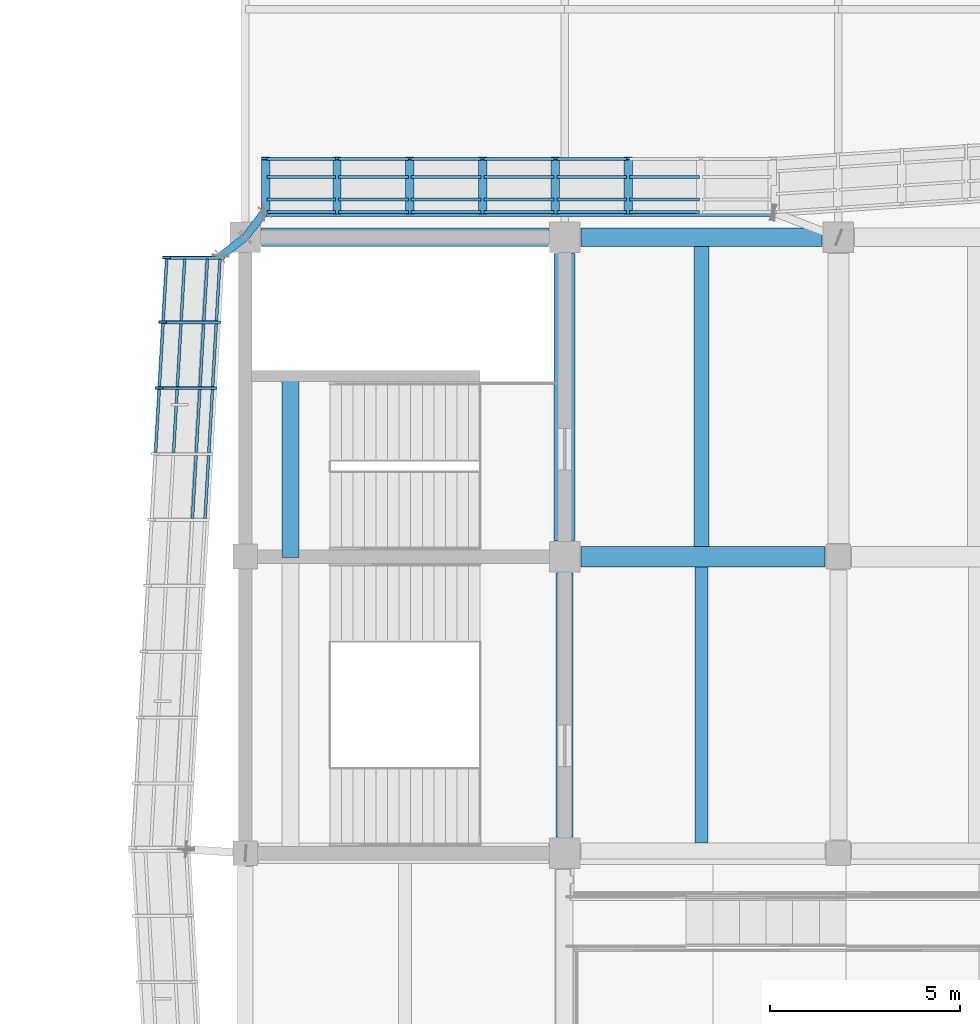
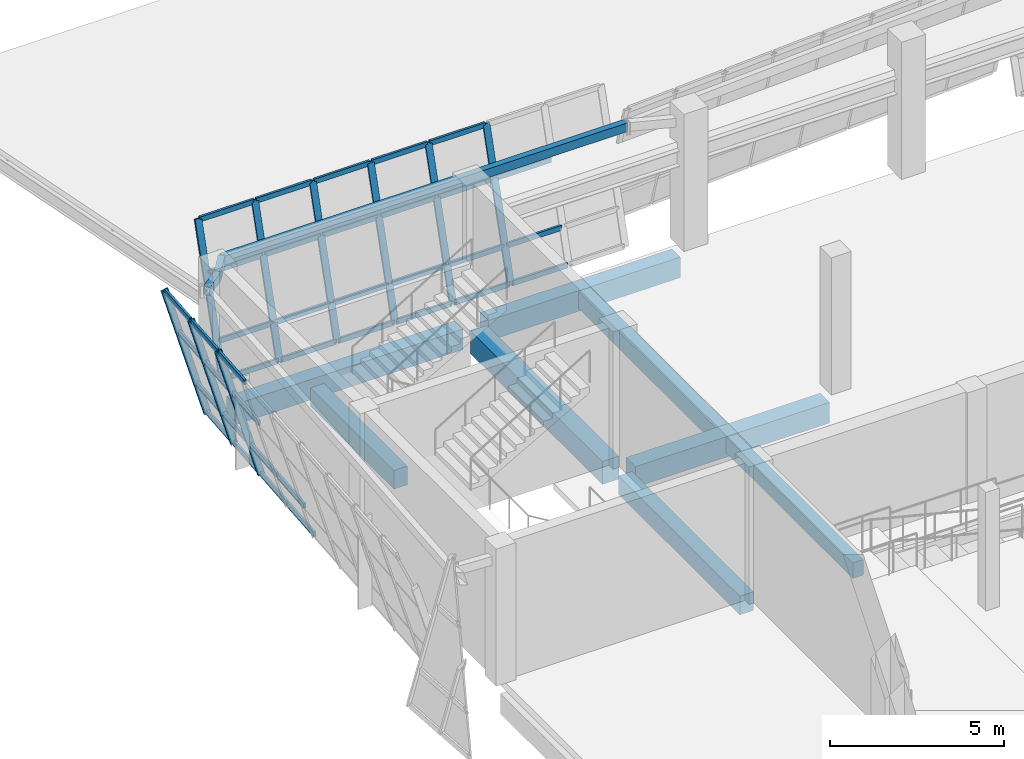
# One storey, part 25 of 79: 46 members, 11 beams, 2 elements without a shape of their own.
"""IFC4 building model written with IfcOpenShell, lengths in metres."""

from ifc_helpers import new_model, si_unit, direction, frame, origin, origin_2d, place, context, subcontext, project, spatial, rectangle, hollow_rectangle, extrude, material, material_profile, profile_set, type_object, element, aggregate, save


model = new_model("IFC4")

# Units and contexts
model_context = context("Model", 3, precision=1e-05, world=origin(), true_north=direction((0.0, 1.0)))
body_context = subcontext(model_context, "Body", "Model", "MODEL_VIEW")
ifc_project = project(units=[si_unit("LENGTHUNIT", "METRE"), si_unit("AREAUNIT", "SQUARE_METRE"), si_unit("VOLUMEUNIT", "CUBIC_METRE"), si_unit("PLANEANGLEUNIT", "RADIAN"), si_unit("MASSUNIT", "GRAM", prefix="KILO")], contexts=[model_context])

# Site, building, storey
site_placement = place(None, origin())
site = spatial("IfcSite", under=ifc_project, at=site_placement, CompositionType="ELEMENT")
building_placement = place(site_placement, origin())
building = spatial("IfcBuilding", under=site, at=building_placement, Name="Pellamere Symphony Hall", CompositionType="ELEMENT")
storey_placement = place(building_placement, frame((0.0, 0.0, 10.199951171875)))
storey = spatial("IfcBuildingStorey", under=building, at=storey_placement, Name="L02", CompositionType="ELEMENT", Elevation=10.199951171875)

# Curtain wall, members
ifc_material_1 = material(Name="Thermally Broken Anodised Aluminium 6063-T6 Curtain Wall", Category="aluminium")
curtain_wall_type = type_object("IfcCurtainWallType", Name="Curtain Wall CW-01 (Tilted Faceted Crystal Low-Iron Curtain Wall)", PredefinedType="NOTDEFINED", material=ifc_material_1)
curtain_wall_1_placement = place(storey_placement, origin())
curtain_wall_1 = element("IfcCurtainWall", 1, at=curtain_wall_1_placement, inside=storey, type_object=curtain_wall_type, Name="Crystal Faceted Curtain Wall CW-CR14 (L02)", PredefinedType="NOTDEFINED")
ifc_material_2 = material(Name="Anodised Architectural Aluminium 6063-T6", Category="aluminium")
ifc_material_profile_1 = material_profile(ifc_material_2, hollow_rectangle(XDim=0.074951171875, YDim=0.219970703125, WallThickness=0.0048828125, at=origin_2d()), Name="ALU-M75X220X5")
ifc_profile_set_1 = profile_set([ifc_material_profile_1], Name="Anodised Architectural Aluminium 6063-T6")
member_type_1 = type_object("IfcMemberType", Name="Curtain Wall Mullion ML-01 ALU-M75X220X5", PredefinedType="MULLION", material=ifc_profile_set_1)
member_1_placement = place(storey_placement, frame((60.471435546875, 94.25, 0.0), z_axis=(0.0, 0.284021911736, 0.9588177896), x_axis=(0.0, 0.9588177896, -0.284021911736)))
member_1 = element("IfcMember", 2, at=member_1_placement, type_object=member_type_1, Name="CW1-034 crystal mullion 3", PredefinedType="MULLION", context=body_context, shape_type="SweptSolid", body=[
    extrude(hollow_rectangle(XDim=0.074951171875, YDim=0.219970703125, WallThickness=0.0048828125, at=origin_2d()), origin(), (0.0, 0.0, 1.0), 5.006103515625),
])
member_2_placement = place(storey_placement, frame((58.55712890625, 94.25, 0.0), z_axis=(0.0, 0.284021911736, 0.9588177896), x_axis=(0.0, 0.9588177896, -0.284021911736)))
member_2 = element("IfcMember", 3, at=member_2_placement, type_object=member_type_1, Name="CW1-034 crystal mullion 4", PredefinedType="MULLION", context=body_context, shape_type="SweptSolid", body=[
    extrude(hollow_rectangle(XDim=0.074951171875, YDim=0.219970703125, WallThickness=0.0048828125, at=origin_2d()), origin(), (0.0, 0.0, 1.0), 5.006103515625),
])
member_3_placement = place(storey_placement, frame((56.642822265625, 94.25, 0.0), z_axis=(0.0, 0.284021911736, 0.9588177896), x_axis=(0.0, 0.9588177896, -0.284021911736)))
member_3 = element("IfcMember", 4, at=member_3_placement, type_object=member_type_1, Name="CW1-034 crystal mullion 5", PredefinedType="MULLION", context=body_context, shape_type="SweptSolid", body=[
    extrude(hollow_rectangle(XDim=0.074951171875, YDim=0.219970703125, WallThickness=0.0048828125, at=origin_2d()), origin(), (0.0, 0.0, 1.0), 5.006103515625),
])
member_4_placement = place(storey_placement, frame((54.728515625, 94.25, 0.0), z_axis=(0.0, 0.284021911736, 0.9588177896), x_axis=(0.0, 0.9588177896, -0.284021911736)))
member_4 = element("IfcMember", 5, at=member_4_placement, type_object=member_type_1, Name="CW1-034 crystal mullion 6", PredefinedType="MULLION", context=body_context, shape_type="SweptSolid", body=[
    extrude(hollow_rectangle(XDim=0.074951171875, YDim=0.219970703125, WallThickness=0.0048828125, at=origin_2d()), origin(), (0.0, 0.0, 1.0), 5.006103515625),
])
member_5_placement = place(storey_placement, frame((52.814208984375, 94.25, 0.0), z_axis=(0.0, 0.284021911736, 0.9588177896), x_axis=(0.0, 0.9588177896, -0.284021911736)))
member_5 = element("IfcMember", 6, at=member_5_placement, type_object=member_type_1, Name="CW1-034 crystal mullion 7", PredefinedType="MULLION", context=body_context, shape_type="SweptSolid", body=[
    extrude(hollow_rectangle(XDim=0.074951171875, YDim=0.219970703125, WallThickness=0.0048828125, at=origin_2d()), origin(), (0.0, 0.0, 1.0), 5.006103515625),
])
member_6_placement = place(storey_placement, frame((50.9375, 94.25, 0.0), z_axis=(0.0, 0.284021911736, 0.9588177896), x_axis=(0.0, 0.9588177896, -0.284021911736)))
member_6 = element("IfcMember", 7, at=member_6_placement, type_object=member_type_1, Name="CW1-034 crystal mullion 8", PredefinedType="MULLION", context=body_context, shape_type="SweptSolid", body=[
    extrude(hollow_rectangle(XDim=0.074951171875, YDim=0.219970703125, WallThickness=0.0048828125, at=origin_2d()), origin(), (0.0, 0.0, 1.0), 5.006103515625),
])

curtain_wall_2_placement = place(storey_placement, origin())
curtain_wall_2 = element("IfcCurtainWall", 8, at=curtain_wall_2_placement, inside=storey, type_object=curtain_wall_type, Name="Crystal Faceted Curtain Wall CW-CR15 (L02)", PredefinedType="NOTDEFINED")
member_7_placement = place(storey_placement, frame((49.747802734375, 93.0625, 0.0), z_axis=(-0.284021911736, 0.0, 0.9588177896), x_axis=(-0.055224582463, -0.998339941676, -0.016358678005)))
member_7 = element("IfcMember", 9, at=member_7_placement, type_object=member_type_1, Name="CW1-039 crystal mullion 1", PredefinedType="MULLION", context=body_context, shape_type="SweptSolid", body=[
    extrude(hollow_rectangle(XDim=0.074951171875, YDim=0.219970703125, WallThickness=0.0048828125, at=origin_2d()), origin(), (0.0, 0.0, 1.0), 5.006103515625),
])
member_8_placement = place(storey_placement, frame((49.64990234375, 91.36669921875, 0.0), z_axis=(-0.283977077304, 0.0, 0.958831069358), x_axis=(-0.055225347331, -0.998339941676, -0.016356095697)))
member_8 = element("IfcMember", 10, at=member_8_placement, type_object=member_type_1, Name="CW1-039 crystal mullion 2", PredefinedType="MULLION", context=body_context, shape_type="SweptSolid", body=[
    extrude(hollow_rectangle(XDim=0.074951171875, YDim=0.219970703125, WallThickness=0.0048828125, at=origin_2d()), origin(), (0.0, 0.0, 1.0), 5.006103515625),
])
member_9_placement = place(storey_placement, frame((49.550048828125, 89.63330078125, 0.0), z_axis=(-0.284021911736, 0.0, 0.9588177896), x_axis=(-0.055224582463, -0.998339941676, -0.016358678005)))
member_9 = element("IfcMember", 11, at=member_9_placement, type_object=member_type_1, Name="CW1-039 crystal mullion 3", PredefinedType="MULLION", context=body_context, shape_type="SweptSolid", body=[
    extrude(hollow_rectangle(XDim=0.074951171875, YDim=0.219970703125, WallThickness=0.0048828125, at=origin_2d()), origin(), (0.0, 0.0, 1.0), 5.006103515625),
])

# Member
ifc_material_profile_2 = material_profile(ifc_material_2, hollow_rectangle(XDim=0.074951171875, YDim=0.179931640625, WallThickness=0.0048828125, at=origin_2d()), Name="ALU-T75X180X5")
ifc_profile_set_2 = profile_set([ifc_material_profile_2], Name="Anodised Architectural Aluminium 6063-T6")
member_type_2 = type_object("IfcMemberType", Name="Curtain Wall Transom TR-01 ALU-T75X180X5", PredefinedType="USERDEFINED", material=ifc_profile_set_2)
member_10_placement = place(storey_placement, frame((62.34814453125, 94.2607421875, 0.035888671875), z_axis=(-1.0, 0.0, 0.0), x_axis=(0.0, -1.0, 0.0)))
member_10 = element("IfcMember", 12, at=member_10_placement, type_object=member_type_2, Name="CW1-034 crystal transom 2.1", ObjectType="TRANSOM", PredefinedType="USERDEFINED", context=body_context, shape_type="SweptSolid", body=[
    extrude(hollow_rectangle(XDim=0.074951171875, YDim=0.179931640625, WallThickness=0.0048828125, at=origin_2d()), origin(), (0.0, 0.0, 1.0), 1.839111328125),
])

member_11_placement = place(storey_placement, frame((62.34814453125, 94.59130859375, 1.152099609375), z_axis=(-1.0, 0.0, 0.0), x_axis=(0.0, -1.0, 0.0)))
member_11 = element("IfcMember", 13, at=member_11_placement, type_object=member_type_2, Name="CW1-034 crystal transom 2.2", ObjectType="TRANSOM", PredefinedType="USERDEFINED", context=body_context, shape_type="SweptSolid", body=[
    extrude(hollow_rectangle(XDim=0.074951171875, YDim=0.179931640625, WallThickness=0.0048828125, at=origin_2d()), origin(), (0.0, 0.0, 1.0), 1.839111328125),
])

member_12_placement = place(storey_placement, frame((62.34814453125, 95.1884765625, 3.16796875), z_axis=(-1.0, 0.0, 0.0), x_axis=(0.0, -1.0, 0.0)))
member_12 = element("IfcMember", 14, at=member_12_placement, type_object=member_type_2, Name="CW1-034 crystal transom 2.3", ObjectType="TRANSOM", PredefinedType="USERDEFINED", context=body_context, shape_type="SweptSolid", body=[
    extrude(hollow_rectangle(XDim=0.074951171875, YDim=0.179931640625, WallThickness=0.0048828125, at=origin_2d()), origin(), (0.0, 0.0, 1.0), 1.839111328125),
])

member_13_placement = place(storey_placement, frame((60.433837890625, 94.2607421875, 0.035888671875), z_axis=(-1.0, 0.0, 0.0), x_axis=(0.0, -1.0, 0.0)))
member_13 = element("IfcMember", 15, at=member_13_placement, type_object=member_type_2, Name="CW1-034 crystal transom 3.1", ObjectType="TRANSOM", PredefinedType="USERDEFINED", context=body_context, shape_type="SweptSolid", body=[
    extrude(hollow_rectangle(XDim=0.074951171875, YDim=0.179931640625, WallThickness=0.0048828125, at=origin_2d()), origin(), (0.0, 0.0, 1.0), 1.839111328125),
])

member_14_placement = place(storey_placement, frame((60.433837890625, 94.59130859375, 1.152099609375), z_axis=(-1.0, 0.0, 0.0), x_axis=(0.0, -1.0, 0.0)))
member_14 = element("IfcMember", 16, at=member_14_placement, type_object=member_type_2, Name="CW1-034 crystal transom 3.2", ObjectType="TRANSOM", PredefinedType="USERDEFINED", context=body_context, shape_type="SweptSolid", body=[
    extrude(hollow_rectangle(XDim=0.074951171875, YDim=0.179931640625, WallThickness=0.0048828125, at=origin_2d()), origin(), (0.0, 0.0, 1.0), 1.839111328125),
])

member_15_placement = place(storey_placement, frame((60.433837890625, 95.1884765625, 3.16796875), z_axis=(-1.0, 0.0, 0.0), x_axis=(0.0, -1.0, 0.0)))
member_15 = element("IfcMember", 17, at=member_15_placement, type_object=member_type_2, Name="CW1-034 crystal transom 3.3", ObjectType="TRANSOM", PredefinedType="USERDEFINED", context=body_context, shape_type="SweptSolid", body=[
    extrude(hollow_rectangle(XDim=0.074951171875, YDim=0.179931640625, WallThickness=0.0048828125, at=origin_2d()), origin(), (0.0, 0.0, 1.0), 1.839111328125),
])

member_16_placement = place(storey_placement, frame((60.433837890625, 95.6611328125, 4.76416015625), z_axis=(-1.0, 0.0, 0.0), x_axis=(0.0, -1.0, 0.0)))
member_16 = element("IfcMember", 18, at=member_16_placement, type_object=member_type_2, Name="CW1-034 crystal transom 3.4", ObjectType="TRANSOM", PredefinedType="USERDEFINED", context=body_context, shape_type="SweptSolid", body=[
    extrude(hollow_rectangle(XDim=0.074951171875, YDim=0.179931640625, WallThickness=0.0048828125, at=origin_2d()), origin(), (0.0, 0.0, 1.0), 1.839111328125),
])

member_17_placement = place(storey_placement, frame((58.51953125, 94.2607421875, 0.035888671875), z_axis=(-1.0, 0.0, 0.0), x_axis=(0.0, -1.0, 0.0)))
member_17 = element("IfcMember", 19, at=member_17_placement, type_object=member_type_2, Name="CW1-034 crystal transom 4.1", ObjectType="TRANSOM", PredefinedType="USERDEFINED", context=body_context, shape_type="SweptSolid", body=[
    extrude(hollow_rectangle(XDim=0.074951171875, YDim=0.179931640625, WallThickness=0.0048828125, at=origin_2d()), origin(), (0.0, 0.0, 1.0), 1.839111328125),
])

member_18_placement = place(storey_placement, frame((58.51953125, 94.59130859375, 1.152099609375), z_axis=(-1.0, 0.0, 0.0), x_axis=(0.0, -1.0, 0.0)))
member_18 = element("IfcMember", 20, at=member_18_placement, type_object=member_type_2, Name="CW1-034 crystal transom 4.2", ObjectType="TRANSOM", PredefinedType="USERDEFINED", context=body_context, shape_type="SweptSolid", body=[
    extrude(hollow_rectangle(XDim=0.074951171875, YDim=0.179931640625, WallThickness=0.0048828125, at=origin_2d()), origin(), (0.0, 0.0, 1.0), 1.839111328125),
])

member_19_placement = place(storey_placement, frame((58.51953125, 95.1884765625, 3.16796875), z_axis=(-1.0, 0.0, 0.0), x_axis=(0.0, -1.0, 0.0)))
member_19 = element("IfcMember", 21, at=member_19_placement, type_object=member_type_2, Name="CW1-034 crystal transom 4.3", ObjectType="TRANSOM", PredefinedType="USERDEFINED", context=body_context, shape_type="SweptSolid", body=[
    extrude(hollow_rectangle(XDim=0.074951171875, YDim=0.179931640625, WallThickness=0.0048828125, at=origin_2d()), origin(), (0.0, 0.0, 1.0), 1.839111328125),
])

member_20_placement = place(storey_placement, frame((58.51953125, 95.6611328125, 4.76416015625), z_axis=(-1.0, 0.0, 0.0), x_axis=(0.0, -1.0, 0.0)))
member_20 = element("IfcMember", 22, at=member_20_placement, type_object=member_type_2, Name="CW1-034 crystal transom 4.4", ObjectType="TRANSOM", PredefinedType="USERDEFINED", context=body_context, shape_type="SweptSolid", body=[
    extrude(hollow_rectangle(XDim=0.074951171875, YDim=0.179931640625, WallThickness=0.0048828125, at=origin_2d()), origin(), (0.0, 0.0, 1.0), 1.839111328125),
])

member_21_placement = place(storey_placement, frame((56.60546875, 94.2607421875, 0.035888671875), z_axis=(-1.0, 0.0, 0.0), x_axis=(0.0, -1.0, 0.0)))
member_21 = element("IfcMember", 23, at=member_21_placement, type_object=member_type_2, Name="CW1-034 crystal transom 5.1", ObjectType="TRANSOM", PredefinedType="USERDEFINED", context=body_context, shape_type="SweptSolid", body=[
    extrude(hollow_rectangle(XDim=0.074951171875, YDim=0.179931640625, WallThickness=0.0048828125, at=origin_2d()), origin(), (0.0, 0.0, 1.0), 1.83935546875),
])

member_22_placement = place(storey_placement, frame((56.60546875, 94.59130859375, 1.152099609375), z_axis=(-1.0, 0.0, 0.0), x_axis=(0.0, -1.0, 0.0)))
member_22 = element("IfcMember", 24, at=member_22_placement, type_object=member_type_2, Name="CW1-034 crystal transom 5.2", ObjectType="TRANSOM", PredefinedType="USERDEFINED", context=body_context, shape_type="SweptSolid", body=[
    extrude(hollow_rectangle(XDim=0.074951171875, YDim=0.179931640625, WallThickness=0.0048828125, at=origin_2d()), origin(), (0.0, 0.0, 1.0), 1.83935546875),
])

member_23_placement = place(storey_placement, frame((56.60546875, 95.1884765625, 3.16796875), z_axis=(-1.0, 0.0, 0.0), x_axis=(0.0, -1.0, 0.0)))
member_23 = element("IfcMember", 25, at=member_23_placement, type_object=member_type_2, Name="CW1-034 crystal transom 5.3", ObjectType="TRANSOM", PredefinedType="USERDEFINED", context=body_context, shape_type="SweptSolid", body=[
    extrude(hollow_rectangle(XDim=0.074951171875, YDim=0.179931640625, WallThickness=0.0048828125, at=origin_2d()), origin(), (0.0, 0.0, 1.0), 1.83935546875),
])

member_24_placement = place(storey_placement, frame((56.60546875, 95.6611328125, 4.76416015625), z_axis=(-1.0, 0.0, 0.0), x_axis=(0.0, -1.0, 0.0)))
member_24 = element("IfcMember", 26, at=member_24_placement, type_object=member_type_2, Name="CW1-034 crystal transom 5.4", ObjectType="TRANSOM", PredefinedType="USERDEFINED", context=body_context, shape_type="SweptSolid", body=[
    extrude(hollow_rectangle(XDim=0.074951171875, YDim=0.179931640625, WallThickness=0.0048828125, at=origin_2d()), origin(), (0.0, 0.0, 1.0), 1.83935546875),
])

member_25_placement = place(storey_placement, frame((54.691162109375, 94.2607421875, 0.035888671875), z_axis=(-1.0, 0.0, 0.0), x_axis=(0.0, -1.0, 0.0)))
member_25 = element("IfcMember", 27, at=member_25_placement, type_object=member_type_2, Name="CW1-034 crystal transom 6.1", ObjectType="TRANSOM", PredefinedType="USERDEFINED", context=body_context, shape_type="SweptSolid", body=[
    extrude(hollow_rectangle(XDim=0.074951171875, YDim=0.179931640625, WallThickness=0.0048828125, at=origin_2d()), origin(), (0.0, 0.0, 1.0), 1.83935546875),
])

member_26_placement = place(storey_placement, frame((54.691162109375, 94.59130859375, 1.152099609375), z_axis=(-1.0, 0.0, 0.0), x_axis=(0.0, -1.0, 0.0)))
member_26 = element("IfcMember", 28, at=member_26_placement, type_object=member_type_2, Name="CW1-034 crystal transom 6.2", ObjectType="TRANSOM", PredefinedType="USERDEFINED", context=body_context, shape_type="SweptSolid", body=[
    extrude(hollow_rectangle(XDim=0.074951171875, YDim=0.179931640625, WallThickness=0.0048828125, at=origin_2d()), origin(), (0.0, 0.0, 1.0), 1.83935546875),
])

member_27_placement = place(storey_placement, frame((54.691162109375, 95.1884765625, 3.16796875), z_axis=(-1.0, 0.0, 0.0), x_axis=(0.0, -1.0, 0.0)))
member_27 = element("IfcMember", 29, at=member_27_placement, type_object=member_type_2, Name="CW1-034 crystal transom 6.3", ObjectType="TRANSOM", PredefinedType="USERDEFINED", context=body_context, shape_type="SweptSolid", body=[
    extrude(hollow_rectangle(XDim=0.074951171875, YDim=0.179931640625, WallThickness=0.0048828125, at=origin_2d()), origin(), (0.0, 0.0, 1.0), 1.83935546875),
])

member_28_placement = place(storey_placement, frame((54.691162109375, 95.6611328125, 4.76416015625), z_axis=(-1.0, 0.0, 0.0), x_axis=(0.0, -1.0, 0.0)))
member_28 = element("IfcMember", 30, at=member_28_placement, type_object=member_type_2, Name="CW1-034 crystal transom 6.4", ObjectType="TRANSOM", PredefinedType="USERDEFINED", context=body_context, shape_type="SweptSolid", body=[
    extrude(hollow_rectangle(XDim=0.074951171875, YDim=0.179931640625, WallThickness=0.0048828125, at=origin_2d()), origin(), (0.0, 0.0, 1.0), 1.83935546875),
])

member_29_placement = place(storey_placement, frame((52.77685546875, 94.2607421875, 0.035888671875), z_axis=(-1.0, 0.0, 0.0), x_axis=(0.0, -1.0, 0.0)))
member_29 = element("IfcMember", 31, at=member_29_placement, type_object=member_type_2, Name="CW1-034 crystal transom 7.1", ObjectType="TRANSOM", PredefinedType="USERDEFINED", context=body_context, shape_type="SweptSolid", body=[
    extrude(hollow_rectangle(XDim=0.074951171875, YDim=0.179931640625, WallThickness=0.0048828125, at=origin_2d()), origin(), (0.0, 0.0, 1.0), 1.8017578125),
])

member_30_placement = place(storey_placement, frame((52.77685546875, 94.59130859375, 1.152099609375), z_axis=(-1.0, 0.0, 0.0), x_axis=(0.0, -1.0, 0.0)))
member_30 = element("IfcMember", 32, at=member_30_placement, type_object=member_type_2, Name="CW1-034 crystal transom 7.2", ObjectType="TRANSOM", PredefinedType="USERDEFINED", context=body_context, shape_type="SweptSolid", body=[
    extrude(hollow_rectangle(XDim=0.074951171875, YDim=0.179931640625, WallThickness=0.0048828125, at=origin_2d()), origin(), (0.0, 0.0, 1.0), 1.8017578125),
])

member_31_placement = place(storey_placement, frame((52.77685546875, 95.1884765625, 3.16796875), z_axis=(-1.0, 0.0, 0.0), x_axis=(0.0, -1.0, 0.0)))
member_31 = element("IfcMember", 33, at=member_31_placement, type_object=member_type_2, Name="CW1-034 crystal transom 7.3", ObjectType="TRANSOM", PredefinedType="USERDEFINED", context=body_context, shape_type="SweptSolid", body=[
    extrude(hollow_rectangle(XDim=0.074951171875, YDim=0.179931640625, WallThickness=0.0048828125, at=origin_2d()), origin(), (0.0, 0.0, 1.0), 1.8017578125),
])

member_32_placement = place(storey_placement, frame((52.77685546875, 95.6611328125, 4.76416015625), z_axis=(-1.0, 0.0, 0.0), x_axis=(0.0, -1.0, 0.0)))
member_32 = element("IfcMember", 34, at=member_32_placement, type_object=member_type_2, Name="CW1-034 crystal transom 7.4", ObjectType="TRANSOM", PredefinedType="USERDEFINED", context=body_context, shape_type="SweptSolid", body=[
    extrude(hollow_rectangle(XDim=0.074951171875, YDim=0.179931640625, WallThickness=0.0048828125, at=origin_2d()), origin(), (0.0, 0.0, 1.0), 1.8017578125),
])

aggregate(curtain_wall_1, [member_1, member_2, member_3, member_4, member_5, member_6, member_10, member_11, member_12, member_13, member_14, member_15, member_16, member_17, member_18, member_19, member_20, member_21, member_22, member_23, member_24, member_25, member_26, member_27, member_28, member_29, member_30, member_31, member_32])

member_33_placement = place(storey_placement, frame((49.735107421875, 93.025146484375, 0.035888671875), z_axis=(-0.057585007883, -0.99834060664, 0.0), x_axis=(0.99834060664, -0.057585007883, 0.0)))
member_33 = element("IfcMember", 35, at=member_33_placement, type_object=member_type_2, Name="CW1-039 crystal transom 1.1", ObjectType="TRANSOM", PredefinedType="USERDEFINED", context=body_context, shape_type="SweptSolid", body=[
    extrude(hollow_rectangle(XDim=0.074951171875, YDim=0.179931640625, WallThickness=0.0048828125, at=origin_2d()), origin(), (0.0, 0.0, 1.0), 1.623779296875),
])

member_34_placement = place(storey_placement, frame((49.404541015625, 93.025146484375, 1.152099609375), z_axis=(-0.057585007883, -0.99834060664, 0.0), x_axis=(0.99834060664, -0.057585007883, 0.0)))
member_34 = element("IfcMember", 36, at=member_34_placement, type_object=member_type_2, Name="CW1-039 crystal transom 1.2", ObjectType="TRANSOM", PredefinedType="USERDEFINED", context=body_context, shape_type="SweptSolid", body=[
    extrude(hollow_rectangle(XDim=0.074951171875, YDim=0.179931640625, WallThickness=0.0048828125, at=origin_2d()), origin(), (0.0, 0.0, 1.0), 1.623779296875),
])

member_35_placement = place(storey_placement, frame((48.807373046875, 93.025146484375, 3.16796875), z_axis=(-0.057585007883, -0.99834060664, 0.0), x_axis=(0.99834060664, -0.057585007883, 0.0)))
member_35 = element("IfcMember", 37, at=member_35_placement, type_object=member_type_2, Name="CW1-039 crystal transom 1.3", ObjectType="TRANSOM", PredefinedType="USERDEFINED", context=body_context, shape_type="SweptSolid", body=[
    extrude(hollow_rectangle(XDim=0.074951171875, YDim=0.179931640625, WallThickness=0.0048828125, at=origin_2d()), origin(), (0.0, 0.0, 1.0), 1.623779296875),
])

member_36_placement = place(storey_placement, frame((48.33447265625, 93.025146484375, 4.76416015625), z_axis=(-0.057585007883, -0.99834060664, 0.0), x_axis=(0.99834060664, -0.057585007883, 0.0)))
member_36 = element("IfcMember", 38, at=member_36_placement, type_object=member_type_2, Name="CW1-039 crystal transom 1.4", ObjectType="TRANSOM", PredefinedType="USERDEFINED", context=body_context, shape_type="SweptSolid", body=[
    extrude(hollow_rectangle(XDim=0.074951171875, YDim=0.179931640625, WallThickness=0.0048828125, at=origin_2d()), origin(), (0.0, 0.0, 1.0), 1.623779296875),
])

member_37_placement = place(storey_placement, frame((49.63720703125, 91.329345703125, 0.035888671875), z_axis=(-0.057602168051, -0.998339616682, 0.0), x_axis=(0.998339616682, -0.057602168051, 0.0)))
member_37 = element("IfcMember", 39, at=member_37_placement, type_object=member_type_2, Name="CW1-039 crystal transom 2.1", ObjectType="TRANSOM", PredefinedType="USERDEFINED", context=body_context, shape_type="SweptSolid", body=[
    extrude(hollow_rectangle(XDim=0.074951171875, YDim=0.179931640625, WallThickness=0.0048828125, at=origin_2d()), origin(), (0.0, 0.0, 1.0), 1.661376953125),
])

member_38_placement = place(storey_placement, frame((49.306640625, 91.329345703125, 1.152099609375), z_axis=(-0.057602168051, -0.998339616682, 0.0), x_axis=(0.998339616682, -0.057602168051, 0.0)))
member_38 = element("IfcMember", 40, at=member_38_placement, type_object=member_type_2, Name="CW1-039 crystal transom 2.2", ObjectType="TRANSOM", PredefinedType="USERDEFINED", context=body_context, shape_type="SweptSolid", body=[
    extrude(hollow_rectangle(XDim=0.074951171875, YDim=0.179931640625, WallThickness=0.0048828125, at=origin_2d()), origin(), (0.0, 0.0, 1.0), 1.661376953125),
])

member_39_placement = place(storey_placement, frame((48.70947265625, 91.329345703125, 3.16796875), z_axis=(-0.057602168051, -0.998339616682, 0.0), x_axis=(0.998339616682, -0.057602168051, 0.0)))
member_39 = element("IfcMember", 41, at=member_39_placement, type_object=member_type_2, Name="CW1-039 crystal transom 2.3", ObjectType="TRANSOM", PredefinedType="USERDEFINED", context=body_context, shape_type="SweptSolid", body=[
    extrude(hollow_rectangle(XDim=0.074951171875, YDim=0.179931640625, WallThickness=0.0048828125, at=origin_2d()), origin(), (0.0, 0.0, 1.0), 1.661376953125),
])

member_40_placement = place(storey_placement, frame((48.236572265625, 91.329345703125, 4.76416015625), z_axis=(-0.05745570945, -0.998348056267, 0.0), x_axis=(0.998348056267, -0.05745570945, 0.0)))
member_40 = element("IfcMember", 42, at=member_40_placement, type_object=member_type_2, Name="CW1-039 crystal transom 2.4", ObjectType="TRANSOM", PredefinedType="USERDEFINED", context=body_context, shape_type="SweptSolid", body=[
    extrude(hollow_rectangle(XDim=0.074951171875, YDim=0.179931640625, WallThickness=0.0048828125, at=origin_2d()), origin(), (0.0, 0.0, 1.0), 1.661376953125),
])

member_41_placement = place(storey_placement, frame((49.537109375, 89.595947265625, 0.035888671875), z_axis=(-0.057610619545, -0.998339129012, 0.0), x_axis=(0.998339129012, -0.057610619545, 0.0)))
member_41 = element("IfcMember", 43, at=member_41_placement, type_object=member_type_2, Name="CW1-039 crystal transom 3.1", ObjectType="TRANSOM", PredefinedType="USERDEFINED", context=body_context, shape_type="SweptSolid", body=[
    extrude(hollow_rectangle(XDim=0.074951171875, YDim=0.179931640625, WallThickness=0.0048828125, at=origin_2d()), origin(), (0.0, 0.0, 1.0), 1.6611328125),
])

member_42_placement = place(storey_placement, frame((49.20654296875, 89.595947265625, 1.152099609375), z_axis=(-0.057610619545, -0.998339129012, 0.0), x_axis=(0.998339129012, -0.057610619545, 0.0)))
member_42 = element("IfcMember", 44, at=member_42_placement, type_object=member_type_2, Name="CW1-039 crystal transom 3.2", ObjectType="TRANSOM", PredefinedType="USERDEFINED", context=body_context, shape_type="SweptSolid", body=[
    extrude(hollow_rectangle(XDim=0.074951171875, YDim=0.179931640625, WallThickness=0.0048828125, at=origin_2d()), origin(), (0.0, 0.0, 1.0), 1.6611328125),
])

member_43_placement = place(storey_placement, frame((48.609375, 89.595947265625, 3.16796875), z_axis=(-0.057610619545, -0.998339129012, 0.0), x_axis=(0.998339129012, -0.057610619545, 0.0)))
member_43 = element("IfcMember", 45, at=member_43_placement, type_object=member_type_2, Name="CW1-039 crystal transom 3.3", ObjectType="TRANSOM", PredefinedType="USERDEFINED", context=body_context, shape_type="SweptSolid", body=[
    extrude(hollow_rectangle(XDim=0.074951171875, YDim=0.179931640625, WallThickness=0.0048828125, at=origin_2d()), origin(), (0.0, 0.0, 1.0), 1.6611328125),
])

member_44_placement = place(storey_placement, frame((48.13671875, 89.595947265625, 4.76416015625), z_axis=(-0.057610619545, -0.998339129012, 0.0), x_axis=(0.998339129012, -0.057610619545, 0.0)))
member_44 = element("IfcMember", 46, at=member_44_placement, type_object=member_type_2, Name="CW1-039 crystal transom 3.4", ObjectType="TRANSOM", PredefinedType="USERDEFINED", context=body_context, shape_type="SweptSolid", body=[
    extrude(hollow_rectangle(XDim=0.074951171875, YDim=0.179931640625, WallThickness=0.0048828125, at=origin_2d()), origin(), (0.0, 0.0, 1.0), 1.6611328125),
])

member_45_placement = place(storey_placement, frame((49.437255859375, 87.862548828125, 0.035888671875), z_axis=(-0.057610619545, -0.998339129012, 0.0), x_axis=(0.998339129012, -0.057610619545, 0.0)))
member_45 = element("IfcMember", 47, at=member_45_placement, type_object=member_type_2, Name="CW1-039 crystal transom 4.1", ObjectType="TRANSOM", PredefinedType="USERDEFINED", context=body_context, shape_type="SweptSolid", body=[
    extrude(hollow_rectangle(XDim=0.074951171875, YDim=0.179931640625, WallThickness=0.0048828125, at=origin_2d()), origin(), (0.0, 0.0, 1.0), 1.6611328125),
])

member_46_placement = place(storey_placement, frame((49.106689453125, 87.862548828125, 1.152099609375), z_axis=(-0.057610619545, -0.998339129012, 0.0), x_axis=(0.998339129012, -0.057610619545, 0.0)))
member_46 = element("IfcMember", 48, at=member_46_placement, type_object=member_type_2, Name="CW1-039 crystal transom 4.2", ObjectType="TRANSOM", PredefinedType="USERDEFINED", context=body_context, shape_type="SweptSolid", body=[
    extrude(hollow_rectangle(XDim=0.074951171875, YDim=0.179931640625, WallThickness=0.0048828125, at=origin_2d()), origin(), (0.0, 0.0, 1.0), 1.6611328125),
])

aggregate(curtain_wall_2, [member_7, member_8, member_9, member_33, member_34, member_35, member_36, member_37, member_38, member_39, member_40, member_41, member_42, member_43, member_44, member_45, member_46])

# Beams
ifc_material_3 = material(Name="Concrete 40 MPa", Category="concrete")
ifc_material_profile_3 = material_profile(ifc_material_3, rectangle(XDim=0.550048828125, YDim=0.800048828125, at=origin_2d()), Name="RC 550x800")
ifc_profile_set_3 = profile_set([ifc_material_profile_3], Name="Concrete 40 MPa")
beam_type_1 = type_object("IfcBeamType", Name="RC CB-05 550x800", PredefinedType="BEAM", material=ifc_profile_set_3)
beam_1_placement = place(storey_placement, frame((58.800048828125, 85.625, -0.679931640625), z_axis=(0.0, 1.0, 0.0), x_axis=(-1.0, 0.0, 0.0)))
element("IfcBeam", 49, at=beam_1_placement, inside=storey, type_object=beam_type_1, Name="Girder CB-05-Y1268 (L02)", PredefinedType="BEAM", context=body_context, shape_type="SweptSolid", body=[
    extrude(rectangle(XDim=0.550048828125, YDim=0.800048828125, at=origin_2d()), origin(), (0.0, 0.0, 1.0), 7.550048828125),
])
ifc_material_profile_4 = material_profile(ifc_material_3, rectangle(XDim=0.449951171875, YDim=0.64990234375, at=origin_2d()), Name="RC 450x650")
ifc_profile_set_4 = profile_set([ifc_material_profile_4], Name="Concrete 40 MPa")
beam_type_2 = type_object("IfcBeamType", Name="RC CB-08 450x650", PredefinedType="BEAM", material=ifc_profile_set_4)
beam_2_placement = place(storey_placement, frame((58.800048828125, 77.824951171875, -0.60498046875), z_axis=(0.0, 1.0, 0.0), x_axis=(-1.0, 0.0, 0.0)))
element("IfcBeam", 50, at=beam_2_placement, inside=storey, type_object=beam_type_2, Name="Girder CB-08-Y1267 (L02)", PredefinedType="BEAM", context=body_context, shape_type="SweptSolid", body=[
    extrude(rectangle(XDim=0.449951171875, YDim=0.64990234375, at=origin_2d()), origin(), (0.0, 0.0, 1.0), 6.949951171875),
])
beam_3_placement = place(storey_placement, frame((51.592529296875, 85.179931640625, 1.85498046875), z_axis=(0.0, 1.0, 0.0), x_axis=(-1.0, 0.0, 0.0)))
element("IfcBeam", 51, at=beam_3_placement, inside=storey, type_object=beam_type_2, Name="Stair ST13-L02 Half Landing Support Beam (L02)", PredefinedType="BEAM", context=body_context, shape_type="SweptSolid", body=[
    extrude(rectangle(XDim=0.449951171875, YDim=0.64990234375, at=origin_2d()), origin(), (0.0, 0.0, 1.0), 4.780029296875),
])
ifc_material_profile_5 = material_profile(ifc_material_3, rectangle(XDim=0.39990234375, YDim=0.60009765625, at=origin_2d()), Name="RC 400x600")
ifc_profile_set_5 = profile_set([ifc_material_profile_5], Name="Concrete 40 MPa")
beam_type_3 = type_object("IfcBeamType", Name="RC CB-09 400x600", PredefinedType="BEAM", material=ifc_profile_set_5)
beam_4_placement = place(storey_placement, frame((62.39990234375, 85.469970703125, -0.594970703125), z_axis=(0.0, 1.0, 0.0), x_axis=(-1.0, 0.0, 0.0)))
element("IfcBeam", 52, at=beam_4_placement, inside=storey, type_object=beam_type_3, Name="Secondary Floor Beam CB-09-M0711 (L02)", PredefinedType="BEAM", context=body_context, shape_type="SweptSolid", body=[
    extrude(rectangle(XDim=0.39990234375, YDim=0.60009765625, at=origin_2d()), origin(), (0.0, 0.0, 1.0), 7.89013671875),
])
ifc_material_4 = material(Name="Concrete 35 MPa", Category="concrete")
ifc_material_profile_6 = material_profile(ifc_material_4, rectangle(XDim=0.35009765625, YDim=0.550048828125, at=origin_2d()), Name="RC 350x550")
ifc_profile_set_6 = profile_set([ifc_material_profile_6], Name="Concrete 35 MPa")
beam_type_4 = type_object("IfcBeamType", Name="RC CB-10 350x550", PredefinedType="BEAM", material=ifc_profile_set_6)
beam_5_placement = place(storey_placement, frame((62.39990234375, 77.669921875, -0.570068359375), z_axis=(0.0, 1.0, 0.0), x_axis=(-1.0, 0.0, 0.0)))
element("IfcBeam", 53, at=beam_5_placement, inside=storey, type_object=beam_type_4, Name="Secondary Floor Beam CB-10-M0710 (L02)", PredefinedType="BEAM", context=body_context, shape_type="SweptSolid", body=[
    extrude(rectangle(XDim=0.35009765625, YDim=0.550048828125, at=origin_2d()), origin(), (0.0, 0.0, 1.0), 7.260009765625),
])
ifc_material_profile_7 = material_profile(ifc_material_3, rectangle(XDim=0.47998046875, YDim=0.719970703125, at=origin_2d()), Name="RC 480x720")
ifc_profile_set_7 = profile_set([ifc_material_profile_7], Name="Concrete 40 MPa")
beam_type_5 = type_object("IfcBeamType", Name="RC CB-14 480x720", PredefinedType="SPANDREL", material=ifc_profile_set_7)
beam_6_placement = place(storey_placement, frame((50.824951171875, 93.60009765625, -0.639892578125), z_axis=(1.0, 0.0, 0.0), x_axis=(0.0, 1.0, 0.0)))
element("IfcBeam", 54, at=beam_6_placement, inside=storey, type_object=beam_type_5, Name="Girder CB-14-X1177 (L02)", PredefinedType="SPANDREL", context=body_context, shape_type="SweptSolid", body=[
    extrude(rectangle(XDim=0.47998046875, YDim=0.719970703125, at=origin_2d()), origin(), (0.0, 0.0, 1.0), 7.550048828125),
])
beam_7_placement = place(storey_placement, frame((59.22509765625, 93.60009765625, -0.639892578125), z_axis=(1.0, 0.0, 0.0), x_axis=(0.0, 1.0, 0.0)))
element("IfcBeam", 55, at=beam_7_placement, inside=storey, type_object=beam_type_5, Name="Girder CB-14-X1178 (L02)", PredefinedType="SPANDREL", context=body_context, shape_type="SweptSolid", body=[
    extrude(rectangle(XDim=0.47998046875, YDim=0.719970703125, at=origin_2d()), origin(), (0.0, 0.0, 1.0), 6.349853515625),
])
ifc_material_profile_8 = material_profile(ifc_material_3, rectangle(XDim=0.5400390625, YDim=0.719970703125, at=origin_2d()), Name="RC 540x720")
ifc_profile_set_8 = profile_set([ifc_material_profile_8], Name="Concrete 40 MPa")
beam_type_6 = type_object("IfcBeamType", Name="RC CB-24 540x720", PredefinedType="BEAM", material=ifc_profile_set_8)
beam_8_placement = place(storey_placement, frame((59.22509765625, 85.199951171875, -0.639892578125), z_axis=(1.0, 0.0, 0.0), x_axis=(0.0, 1.0, 0.0)))
element("IfcBeam", 56, at=beam_8_placement, inside=storey, type_object=beam_type_6, Name="Girder CB-24-X1166 (L02)", PredefinedType="BEAM", context=body_context, shape_type="SweptSolid", body=[
    extrude(rectangle(XDim=0.5400390625, YDim=0.719970703125, at=origin_2d()), origin(), (0.0, 0.0, 1.0), 6.4248046875),
])
ifc_material_5 = material(Name="Steel CSA G40.21 350W", Category="steel")
ifc_material_profile_9 = material_profile(ifc_material_5, hollow_rectangle(XDim=0.203125, YDim=0.3046875, WallThickness=0.0126953125, at=origin_2d()), Name="HSS305X203X13")
ifc_profile_set_9 = profile_set([ifc_material_profile_9], Name="Steel CSA G40.21 350W")
beam_type_7 = type_object("IfcBeamType", Name="Steel Spandrel SB-26 HSS305X203X13", PredefinedType="SPANDREL", material=ifc_profile_set_9)
beam_9_placement = place(storey_placement, frame((64.300048828125, 94.25, 4.239990234375), z_axis=(-1.0, 0.0, 0.0), x_axis=(0.0, -1.0, 0.0)))
element("IfcBeam", 57, at=beam_9_placement, inside=storey, type_object=beam_type_7, Name="Crystal Perimeter Ring Beam CW-CR14 (L02)", PredefinedType="SPANDREL", context=body_context, shape_type="SweptSolid", body=[
    extrude(hollow_rectangle(XDim=0.203125, YDim=0.3046875, WallThickness=0.0126953125, at=origin_2d()), origin(), (0.0, 0.0, 1.0), 13.400146484375),
])
for number, where, z_axis, x_axis, name in (
    (58, (50.39990234375, 93.60009765625, 4.239990234375), (0.609768314627, 0.792579713642, 0.0), (-0.792579713642, 0.609768314627, 0.0), "Crystal Ring Outrigger Bracket 076 (L02)"),
    (59, (50.39990234375, 93.60009765625, 4.239990234375), (-0.792579713642, -0.609768314627, 0.0), (0.609768314627, -0.792579713642, 0.0), "Crystal Ring Outrigger Bracket 088 (L02)"),
):
    element("IfcBeam", number, at=place(storey_placement, frame(where, z_axis=z_axis, x_axis=x_axis)), inside=storey, type_object=beam_type_7, Name=name, PredefinedType="SPANDREL", context=body_context, shape_type="SweptSolid", body=[
        extrude(hollow_rectangle(XDim=0.203125, YDim=0.3046875, WallThickness=0.0126953125, at=origin_2d()), origin(), (0.0, 0.0, 1.0), 0.820068359375),
    ])

save(model, "model.ifc")
